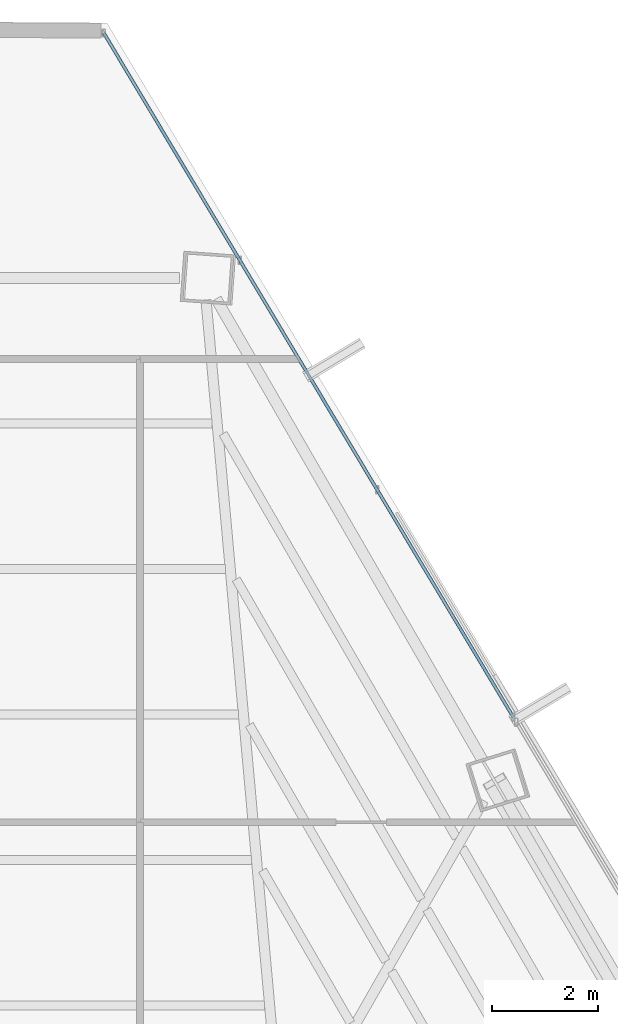
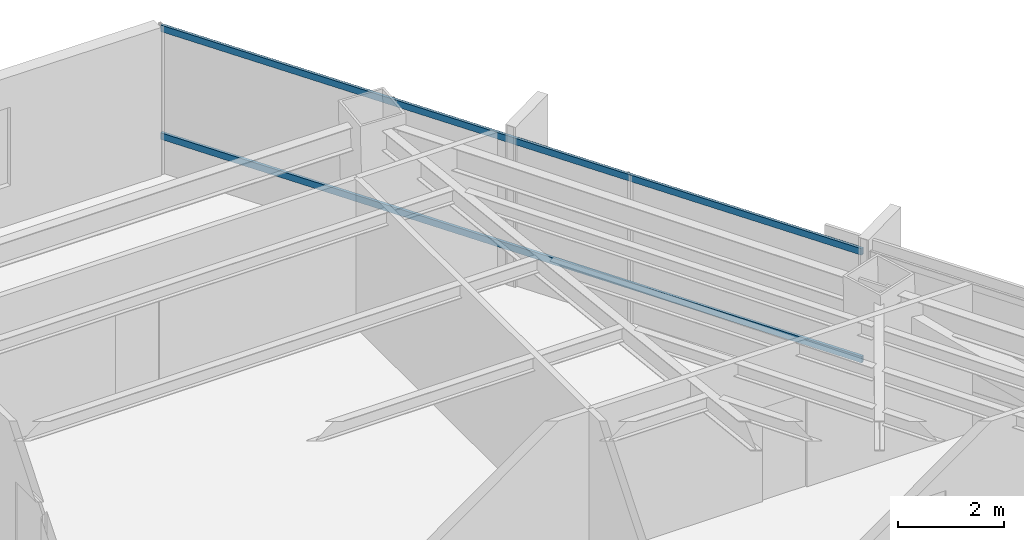
# One storey, part 33 of 41: 2 members, 1 element without a shape of its own.
"""IFC4 building model written with IfcOpenShell, lengths in metres."""

from ifc_helpers import new_model, si_unit, direction, frame, origin, origin_2d, place, context, subcontext, project, spatial, hollow_rectangle, extrude, source, transform, mapped, material, material_profile, profile_set, type_object, type_shapes, element, aggregate, save


model = new_model("IFC4")

# Units and contexts
model_context = context("Model", 3, precision=1e-05, world=origin(), true_north=direction((0.0, 1.0)))
body_context = subcontext(model_context, "Body", "Model", "MODEL_VIEW")
ifc_project = project(units=[si_unit("LENGTHUNIT", "METRE"), si_unit("AREAUNIT", "SQUARE_METRE"), si_unit("VOLUMEUNIT", "CUBIC_METRE"), si_unit("PLANEANGLEUNIT", "RADIAN"), si_unit("MASSUNIT", "GRAM", prefix="KILO")], contexts=[model_context])

# Site, building, storey
site_placement = place(None, origin())
site = spatial("IfcSite", under=ifc_project, at=site_placement, CompositionType="ELEMENT")
building_placement = place(site_placement, origin())
building = spatial("IfcBuilding", under=site, at=building_placement, Name="Caelisora Broadcast Tower", CompositionType="ELEMENT")
storey_placement = place(building_placement, frame((0.0, 0.0, 162.14990234375)))
storey = spatial("IfcBuildingStorey", under=building, at=storey_placement, Name="L42", CompositionType="ELEMENT", Elevation=162.14990234375)

# Curtain wall, members
ifc_material_1 = material(Name="Unitised Aluminium and Low-E Glass Curtain Wall", Category="glass")
curtain_wall_type = type_object("IfcCurtainWallType", Name="CW-Z3", PredefinedType="NOTDEFINED", material=ifc_material_1)
curtain_wall_placement = place(storey_placement, origin())
curtain_wall = element("IfcCurtainWall", 1, at=curtain_wall_placement, inside=storey, type_object=curtain_wall_type, Name="L42 curtain wall CW-Z3", PredefinedType="NOTDEFINED")
ifc_material_2 = material(Name="Aluminium 6063-T6 Anodised Terracotta Bronze", Category="aluminium")
ifc_material_profile = material_profile(ifc_material_2, hollow_rectangle(XDim=0.06005859375, YDim=0.14990234375, WallThickness=0.00341796875, at=origin_2d()), Name="Aluminium 6063-T6 Anodised Terracotta Bronze")
ifc_profile_set = profile_set([ifc_material_profile], Name="Aluminium 6063-T6 Anodised Terracotta Bronze")
member_type = type_object("IfcMemberType", Name="CWT-02", PredefinedType="USERDEFINED", material=ifc_profile_set)
shared_shape = source(origin(), body_context, "Body", "SweptSolid", [
    extrude(hollow_rectangle(XDim=0.06005859375, YDim=0.14990234375, WallThickness=0.00341796875, at=origin_2d()), origin(), (0.0, 0.0, 1.0), 15.07861328125),
])
type_shapes(member_type, [shared_shape])
member_1_placement = place(storey_placement, frame((42.11474609375, 51.14599609375, 0.85009765625), z_axis=(0.513566844105, -0.858049588681, 0.0), x_axis=(0.858049588681, 0.513566844105, 0.0)))
member_1 = element("IfcMember", 2, at=member_1_placement, type_object=member_type, Name="L42-CW-B01 transom #1", ObjectType="TRANSOM", PredefinedType="USERDEFINED", context=body_context, shape_type="MappedRepresentation", body=[
    mapped(shared_shape, transform((0.0, 0.0, 0.0), scale=1.0)),
])
member_2_placement = place(storey_placement, frame((42.11474609375, 51.14599609375, 3.320068359375), z_axis=(0.513566844105, -0.858049588681, 0.0), x_axis=(0.858049588681, 0.513566844105, 0.0)))
member_2 = element("IfcMember", 3, at=member_2_placement, type_object=member_type, Name="L42-CW-B01 transom #2", ObjectType="TRANSOM", PredefinedType="USERDEFINED", context=body_context, shape_type="MappedRepresentation", body=[
    mapped(shared_shape, transform((0.0, 0.0, 0.0), scale=1.0)),
])
aggregate(curtain_wall, [member_1, member_2])

save(model, "model.ifc")
